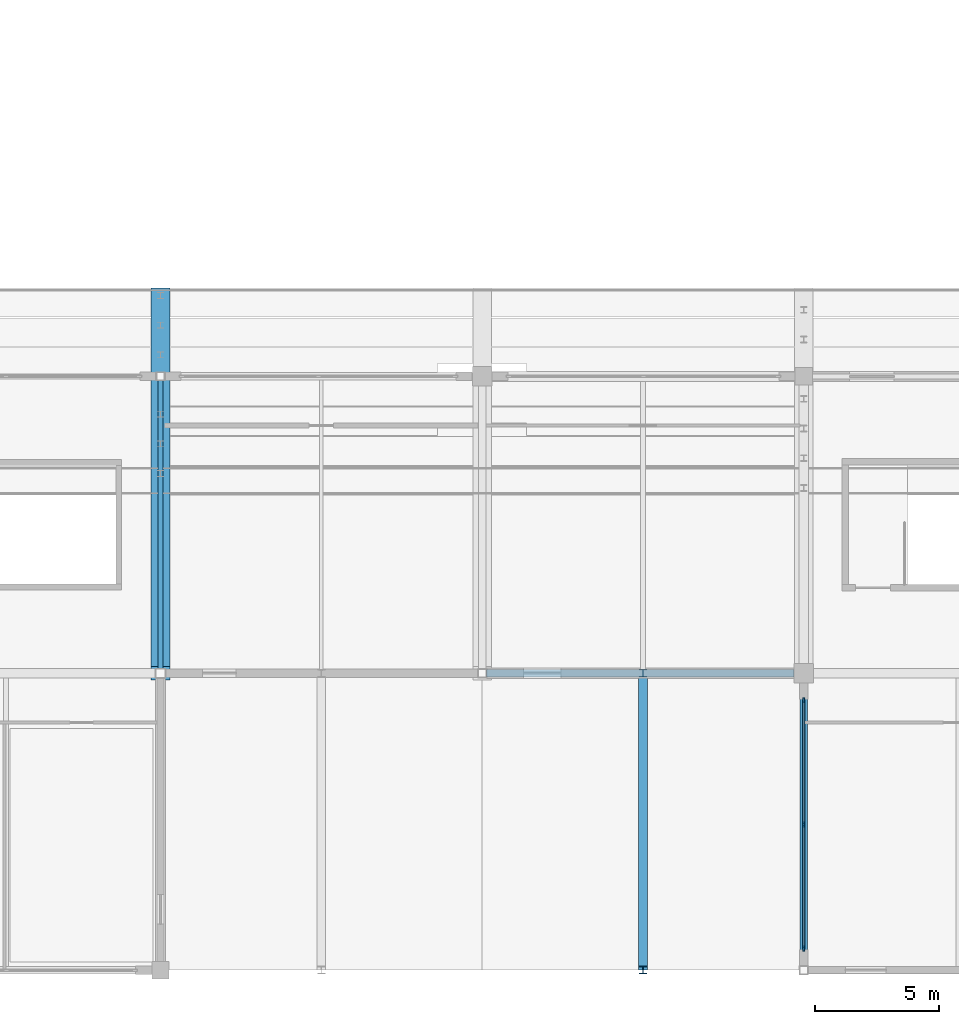
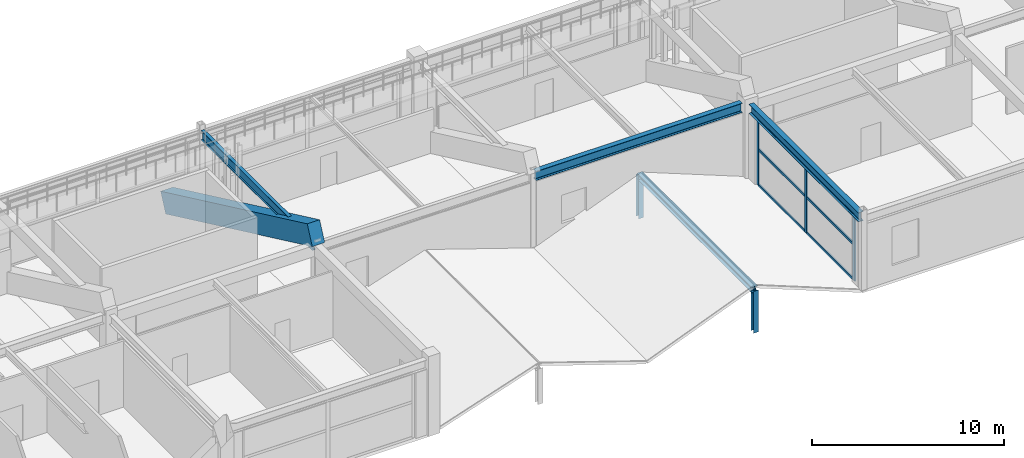
# One storey, part 35 of 128: 12 members, 4 beams, 1 element without a shape of its own.
"""IFC4 building model written with IfcOpenShell, lengths in metres."""

from ifc_helpers import new_model, si_unit, direction, frame, origin, origin_2d, place, context, subcontext, project, spatial, rectangle, i_section, extrude, material, layer, layer_set, material_profile, profile_set, type_object, element, aggregate, save


model = new_model("IFC4")

# Units and contexts
model_context = context("Model", 3, precision=1e-05, world=origin(), true_north=direction((0.0, 1.0)))
body_context = subcontext(model_context, "Body", "Model", "MODEL_VIEW")
ifc_project = project(units=[si_unit("LENGTHUNIT", "METRE"), si_unit("AREAUNIT", "SQUARE_METRE"), si_unit("VOLUMEUNIT", "CUBIC_METRE"), si_unit("PLANEANGLEUNIT", "RADIAN"), si_unit("MASSUNIT", "GRAM", prefix="KILO")], contexts=[model_context])

# Site, building, storey
site_placement = place(None, origin())
site = spatial("IfcSite", under=ifc_project, at=site_placement, CompositionType="ELEMENT")
building_placement = place(site_placement, origin())
building = spatial("IfcBuilding", under=site, at=building_placement, Name="Kazenohara Klinker Stadium", CompositionType="ELEMENT")
storey_placement = place(building_placement, frame((0.0, 0.0, 15.300048828125)))
storey = spatial("IfcBuildingStorey", under=building, at=storey_placement, Name="L03", CompositionType="ELEMENT", Elevation=15.300048828125)

# Beams
ifc_material_1 = material(Name="Steel S355", Category="steel")
ifc_material_profile_1 = material_profile(ifc_material_1, i_section(OverallWidth=0.199951171875, OverallDepth=0.60009765625, WebThickness=0.010986328125, FlangeThickness=0.01708984375, FilletRadius=0.012939453125, at=origin_2d()), Name="H-600x200x11x17")
ifc_profile_set_1 = profile_set([ifc_material_profile_1], Name="Steel S355")
beam_type_1 = type_object("IfcBeamType", Name="BM-ST04", PredefinedType="BEAM", material=ifc_profile_set_1)
beam_1_placement = place(storey_placement, frame((99.0, 24.199951171875, 4.4599609375), z_axis=(0.0, 1.0, 0.0), x_axis=(-1.0, 0.0, 0.0)))
element("IfcBeam", 1, at=beam_1_placement, inside=storey, type_object=beam_type_1, Name="Primary girder SB04 L03 9/C-D", PredefinedType="BEAM", context=body_context, shape_type="SweptSolid", body=[
    extrude(i_section(OverallWidth=0.199951171875, OverallDepth=0.60009765625, WebThickness=0.010986328125, FlangeThickness=0.01708984375, FilletRadius=0.012939453125, at=origin_2d()), origin(), (0.0, 0.0, 1.0), 11.625),
])
ifc_material_profile_2 = material_profile(ifc_material_1, i_section(OverallWidth=0.300048828125, OverallDepth=0.587890625, WebThickness=0.011962890625, FlangeThickness=0.02001953125, FilletRadius=0.02197265625, at=origin_2d()), Name="H-588x300x12x20")
ifc_profile_set_2 = profile_set([ifc_material_profile_2], Name="Steel S355")
beam_type_2 = type_object("IfcBeamType", Name="BM-ST05", PredefinedType="BEAM", material=ifc_profile_set_2)
beam_2_placement = place(storey_placement, frame((112.175048828125, 24.0, 4.466064453125), z_axis=(1.0, 0.0, 0.0), x_axis=(0.0, 1.0, 0.0)))
element("IfcBeam", 2, at=beam_2_placement, inside=storey, type_object=beam_type_2, Name="Primary girder SB05 L03 10-11/C", PredefinedType="BEAM", context=body_context, shape_type="SweptSolid", body=[
    extrude(i_section(OverallWidth=0.300048828125, OverallDepth=0.587890625, WebThickness=0.011962890625, FlangeThickness=0.02001953125, FilletRadius=0.02197265625, at=origin_2d()), origin(), (0.0, 0.0, 1.0), 12.425048828125),
])
beam_3_placement = place(storey_placement, frame((125.0, 12.175048828125, 4.466064453125), z_axis=(0.0, 1.0, 0.0), x_axis=(-1.0, 0.0, 0.0)))
element("IfcBeam", 3, at=beam_3_placement, inside=storey, type_object=beam_type_2, Name="Primary girder SB05 L03 11/B-C", PredefinedType="BEAM", context=body_context, shape_type="SweptSolid", body=[
    extrude(i_section(OverallWidth=0.300048828125, OverallDepth=0.587890625, WebThickness=0.011962890625, FlangeThickness=0.02001953125, FilletRadius=0.02197265625, at=origin_2d()), origin(), (0.0, 0.0, 1.0), 11.425048828125),
])

# Curtain wall, members
ifc_material_2 = material(Name="Anodised aluminium and triple glazing", Category="aluminium")
ifc_layer = layer(ifc_material_2, 0.159912109375)
ifc_layer_set = layer_set([ifc_layer], Name="Anodised aluminium and triple glazing")
curtain_wall_type = type_object("IfcCurtainWallType", Name="CW-SYS-01", PredefinedType="USERDEFINED", material=ifc_layer_set)
curtain_wall_placement = place(storey_placement, origin())
curtain_wall = element("IfcCurtainWall", 4, at=curtain_wall_placement, inside=storey, type_object=curtain_wall_type, Name="Unitised facade curtain wall CW01 L03 Y10-1", ObjectType="UNITISED CURTAIN WALL", PredefinedType="USERDEFINED")
ifc_material_3 = material(Name="Anodised aluminium 6063-T6", Category="aluminium")
ifc_material_profile_3 = material_profile(ifc_material_3, rectangle(XDim=0.074951171875, YDim=0.219970703125, at=origin_2d()), Name="ALU-MUL-75x220")
ifc_profile_set_3 = profile_set([ifc_material_profile_3], Name="Anodised aluminium 6063-T6")
member_type_1 = type_object("IfcMemberType", Name="CW-MUL-220", PredefinedType="MULLION", material=ifc_profile_set_3)
member_1_placement = place(storey_placement, frame((125.0, 12.866455078125, 0.0), z_axis=(0.0, 0.0, 1.0), x_axis=(-1.0, 0.0, 0.0)))
member_1 = element("IfcMember", 5, at=member_1_placement, type_object=member_type_1, Name="CW01 mullion 1", PredefinedType="MULLION", context=body_context, shape_type="SweptSolid", body=[
    extrude(rectangle(XDim=0.074951171875, YDim=0.219970703125, at=origin_2d()), origin(), (0.0, 0.0, 1.0), 4.171875),
])
member_2_placement = place(storey_placement, frame((125.0, 17.887451171875, 0.0), z_axis=(0.0, 0.0, 1.0), x_axis=(-1.0, 0.0, 0.0)))
member_2 = element("IfcMember", 6, at=member_2_placement, type_object=member_type_1, Name="CW01 mullion 2", PredefinedType="MULLION", context=body_context, shape_type="SweptSolid", body=[
    extrude(rectangle(XDim=0.074951171875, YDim=0.219970703125, at=origin_2d()), origin(), (0.0, 0.0, 1.0), 4.171875),
])
member_3_placement = place(storey_placement, frame((125.0, 22.908447265625, 0.0), z_axis=(0.0, 0.0, 1.0), x_axis=(-1.0, 0.0, 0.0)))
member_3 = element("IfcMember", 7, at=member_3_placement, type_object=member_type_1, Name="CW01 mullion 3", PredefinedType="MULLION", context=body_context, shape_type="SweptSolid", body=[
    extrude(rectangle(XDim=0.074951171875, YDim=0.219970703125, at=origin_2d()), origin(), (0.0, 0.0, 1.0), 4.171875),
])
ifc_material_profile_4 = material_profile(ifc_material_3, rectangle(XDim=0.074951171875, YDim=0.159912109375, at=origin_2d()), Name="ALU-TRN-75x160")
ifc_profile_set_4 = profile_set([ifc_material_profile_4], Name="Anodised aluminium 6063-T6")
member_type_2 = type_object("IfcMemberType", Name="CW-TRN-160", PredefinedType="USERDEFINED", material=ifc_profile_set_4)
member_4_placement = place(storey_placement, frame((125.0, 12.904052734375, 0.037353515625), z_axis=(0.0, 1.0, 0.0), x_axis=(-1.0, 0.0, 0.0)))
member_4 = element("IfcMember", 8, at=member_4_placement, type_object=member_type_2, Name="CW01 transom 1.1", ObjectType="TRANSOM", PredefinedType="USERDEFINED", context=body_context, shape_type="SweptSolid", body=[
    extrude(rectangle(XDim=0.074951171875, YDim=0.159912109375, at=origin_2d()), origin(), (0.0, 0.0, 1.0), 4.946044921875),
])
member_5_placement = place(storey_placement, frame((125.0, 12.904052734375, 2.29443359375), z_axis=(0.0, 1.0, 0.0), x_axis=(-1.0, 0.0, 0.0)))
member_5 = element("IfcMember", 9, at=member_5_placement, type_object=member_type_2, Name="CW01 transom 1.2", ObjectType="TRANSOM", PredefinedType="USERDEFINED", context=body_context, shape_type="SweptSolid", body=[
    extrude(rectangle(XDim=0.074951171875, YDim=0.159912109375, at=origin_2d()), origin(), (0.0, 0.0, 1.0), 4.946044921875),
])
member_6_placement = place(storey_placement, frame((125.0, 12.904052734375, 4.134521484375), z_axis=(0.0, 1.0, 0.0), x_axis=(-1.0, 0.0, 0.0)))
member_6 = element("IfcMember", 10, at=member_6_placement, type_object=member_type_2, Name="CW01 transom 1.3", ObjectType="TRANSOM", PredefinedType="USERDEFINED", context=body_context, shape_type="SweptSolid", body=[
    extrude(rectangle(XDim=0.074951171875, YDim=0.159912109375, at=origin_2d()), origin(), (0.0, 0.0, 1.0), 4.946044921875),
])
member_7_placement = place(storey_placement, frame((125.0, 17.925048828125, 0.037353515625), z_axis=(0.0, 1.0, 0.0), x_axis=(-1.0, 0.0, 0.0)))
member_7 = element("IfcMember", 11, at=member_7_placement, type_object=member_type_2, Name="CW01 transom 2.1", ObjectType="TRANSOM", PredefinedType="USERDEFINED", context=body_context, shape_type="SweptSolid", body=[
    extrude(rectangle(XDim=0.074951171875, YDim=0.159912109375, at=origin_2d()), origin(), (0.0, 0.0, 1.0), 4.946044921875),
])
member_8_placement = place(storey_placement, frame((125.0, 17.925048828125, 2.29443359375), z_axis=(0.0, 1.0, 0.0), x_axis=(-1.0, 0.0, 0.0)))
member_8 = element("IfcMember", 12, at=member_8_placement, type_object=member_type_2, Name="CW01 transom 2.2", ObjectType="TRANSOM", PredefinedType="USERDEFINED", context=body_context, shape_type="SweptSolid", body=[
    extrude(rectangle(XDim=0.074951171875, YDim=0.159912109375, at=origin_2d()), origin(), (0.0, 0.0, 1.0), 4.946044921875),
])
member_9_placement = place(storey_placement, frame((125.0, 17.925048828125, 4.134521484375), z_axis=(0.0, 1.0, 0.0), x_axis=(-1.0, 0.0, 0.0)))
member_9 = element("IfcMember", 13, at=member_9_placement, type_object=member_type_2, Name="CW01 transom 2.3", ObjectType="TRANSOM", PredefinedType="USERDEFINED", context=body_context, shape_type="SweptSolid", body=[
    extrude(rectangle(XDim=0.074951171875, YDim=0.159912109375, at=origin_2d()), origin(), (0.0, 0.0, 1.0), 4.946044921875),
])
aggregate(curtain_wall, [member_1, member_2, member_3, member_4, member_5, member_6, member_7, member_8, member_9])

# Members
ifc_material_profile_5 = material_profile(ifc_material_1, i_section(OverallWidth=0.35009765625, OverallDepth=0.35009765625, WebThickness=0.011962890625, FlangeThickness=0.01904296875, FilletRadius=0.012939453125, at=origin_2d()), Name="H-350x350x12x19")
ifc_profile_set_5 = profile_set([ifc_material_profile_5], Name="Steel S355")
member_type_3 = type_object("IfcMemberType", Name="MEM-CHD02", PredefinedType="CHORD", material=ifc_profile_set_5)
member_10_placement = place(storey_placement, frame((118.5, 12.0, 2.22998046875), z_axis=(0.0, 1.0, 0.0), x_axis=(-1.0, 0.0, 0.0)))
element("IfcMember", 14, at=member_10_placement, inside=storey, type_object=member_type_3, Name="Stepped pavilion gable ridge beam L03 10/B", PredefinedType="CHORD", context=body_context, shape_type="SweptSolid", body=[
    extrude(i_section(OverallWidth=0.35009765625, OverallDepth=0.35009765625, WebThickness=0.011962890625, FlangeThickness=0.01904296875, FilletRadius=0.012939453125, at=origin_2d()), origin(), (0.0, 0.0, 1.0), 12.0),
])
ifc_material_profile_6 = material_profile(ifc_material_1, i_section(OverallWidth=0.300048828125, OverallDepth=0.300048828125, WebThickness=0.010009765625, FlangeThickness=0.014892578125, FilletRadius=0.012939453125, at=origin_2d()), Name="H-300x300x10x15")
ifc_profile_set_6 = profile_set([ifc_material_profile_6], Name="Steel S355")
member_type_4 = type_object("IfcMemberType", Name="MEM-STR01", PredefinedType="STRUT", material=ifc_profile_set_6)
for number, where, z_axis, x_axis, name in (
    (15, (118.5, 12.0, -0.429931640625), (0.0, 0.0, 1.0), (1.0, 0.0, 0.0), "Stepped pavilion gable king-post L03 10/B S"),
    (16, (118.5, 24.0, -0.429931640625), (0.0, 0.0, 1.0), (1.0, 0.0, 0.0), "Stepped pavilion gable king-post L03 10/B N"),
):
    element("IfcMember", number, at=place(storey_placement, frame(where, z_axis=z_axis, x_axis=x_axis)), inside=storey, type_object=member_type_4, Name=name, PredefinedType="STRUT", context=body_context, shape_type="SweptSolid", body=[
        extrude(i_section(OverallWidth=0.300048828125, OverallDepth=0.300048828125, WebThickness=0.010009765625, FlangeThickness=0.014892578125, FilletRadius=0.012939453125, at=origin_2d()), origin(), (0.0, 0.0, 1.0), 2.659912109375),
    ])

# Beam
ifc_material_4 = material(Name="Precast concrete C50/60", Category="concrete")
ifc_material_profile_7 = material_profile(ifc_material_4, rectangle(XDim=0.75, YDim=1.25, at=origin_2d()), Name="PC-RAKER-750x1250")
ifc_profile_set_7 = profile_set([ifc_material_profile_7], Name="Precast concrete C50/60")
beam_type_3 = type_object("IfcBeamType", Name="RAKER-RK02", PredefinedType="USERDEFINED", material=ifc_profile_set_7)
beam_4_placement = place(storey_placement, frame((99.0, 24.0, 5.351318359375), z_axis=(0.0, 0.904820338238, -0.425793559734), x_axis=(-1.0, 0.0, 0.0)))
element("IfcBeam", 17, at=beam_4_placement, inside=storey, type_object=beam_type_3, Name="Precast bowl raker girder RK02 UPPER South 9", ObjectType="RAKER", PredefinedType="USERDEFINED", context=body_context, shape_type="SweptSolid", body=[
    extrude(rectangle(XDim=0.75, YDim=1.25, at=origin_2d()), origin(), (0.0, 0.0, 1.0), 16.909423828125),
])

save(model, "model.ifc")
